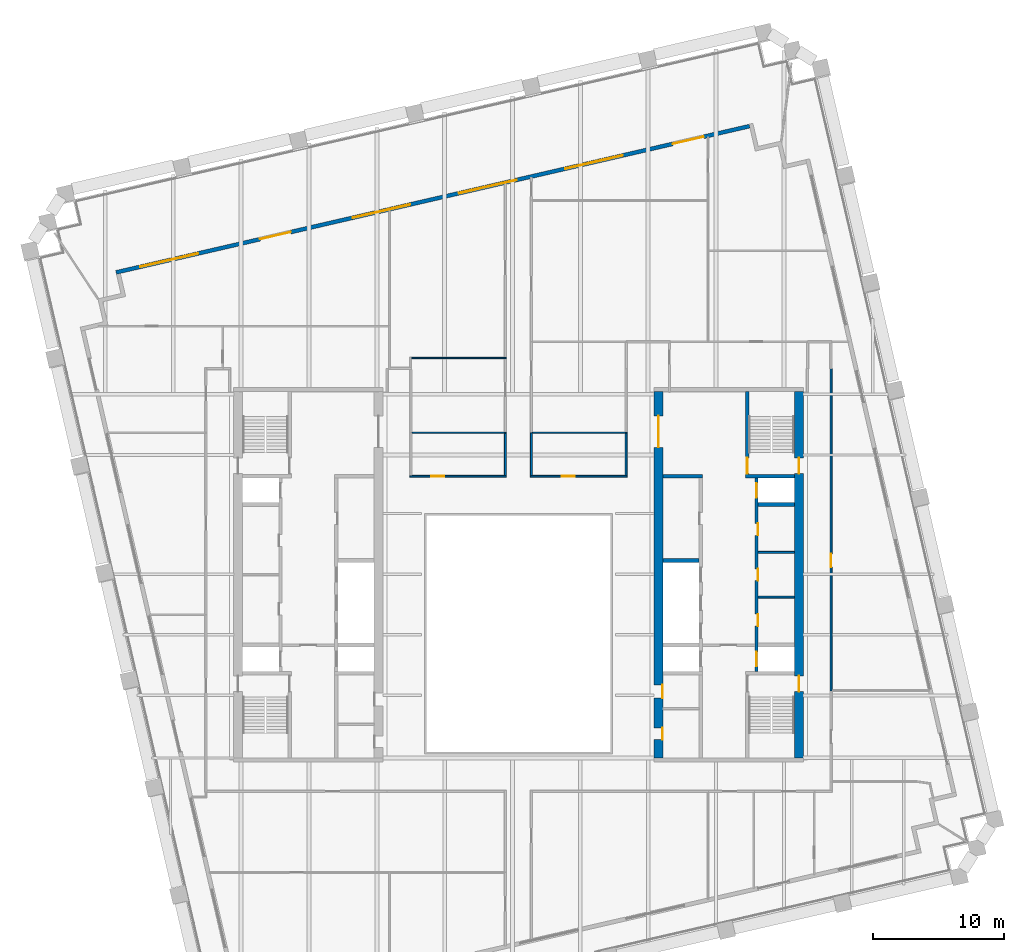
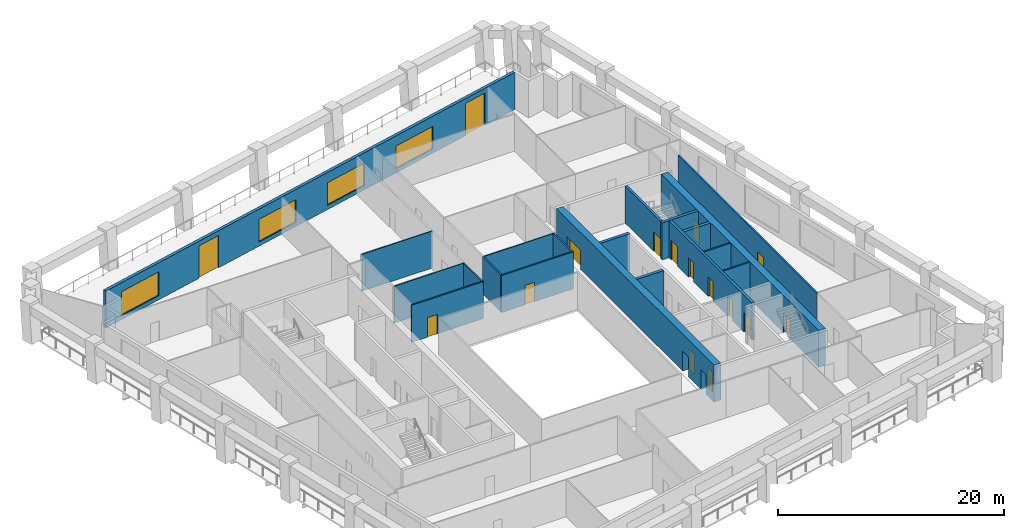
# One storey, part 7 of 11: 20 walls, 16 doors, 4 windows, 20 openings.
"""IFC4 building model written with IfcOpenShell, lengths in metres."""

from ifc_helpers import new_model, si_unit, direction, frame, frame_2d, origin, place, context, subcontext, project, spatial, rectangle, extrude, material, layer, layer_set, type_object, element, fill, save


model = new_model("IFC4")

# Units and contexts
model_context = context("Model", 3, precision=1e-05, world=origin(), true_north=direction((0.0, 1.0)))
body_context = subcontext(model_context, "Body", "Model", "MODEL_VIEW")
ifc_project = project(units=[si_unit("LENGTHUNIT", "METRE"), si_unit("AREAUNIT", "SQUARE_METRE"), si_unit("VOLUMEUNIT", "CUBIC_METRE"), si_unit("PLANEANGLEUNIT", "RADIAN"), si_unit("MASSUNIT", "GRAM", prefix="KILO")], contexts=[model_context])

# Site, building, storey
site_placement = place(None, origin())
site = spatial("IfcSite", under=ifc_project, at=site_placement, CompositionType="ELEMENT")
building_placement = place(site_placement, origin())
building = spatial("IfcBuilding", under=site, at=building_placement, Name="Ogive Exchange Tower", CompositionType="ELEMENT")
storey_placement = place(building_placement, frame((0.0, 0.0, 213.60009765625)))
storey = spatial("IfcBuildingStorey", under=building, at=storey_placement, Name="L47", CompositionType="ELEMENT", Elevation=213.60009765625)

# Walls
ifc_material_1 = material(Name="Gypsum board partition")
ifc_layer_1 = layer(ifc_material_1, 0.14990234375)
ifc_layer_set_1 = layer_set([ifc_layer_1], Name="Core room partition 150 gypsum")
wall_type_1 = type_object("IfcWallType", Name="Core room partition 150 gypsum", PredefinedType="PARTITIONING", material=ifc_layer_set_1)
for number, where, z_axis, x_axis, name in (
    (1, (18.25, 9.800048828125, 0.0), (0.0, 0.0, 1.0), (1.0, 0.0, 0.0), "E row A bay partition 1-1"),
    (2, (18.25, 13.199951171875, 0.0), (0.0, 0.0, 1.0), (1.0, 0.0, 0.0), "E row A bay partition 1-2"),
):
    element("IfcWall", number, at=place(storey_placement, frame(where, z_axis=z_axis, x_axis=x_axis)), inside=storey, type_object=wall_type_1, Name=name, PredefinedType="PARTITIONING", context=body_context, shape_type="SweptSolid", body=[
        extrude(rectangle(XDim=2.75, YDim=0.14990234375, at=frame_2d((1.375, 0.0))), origin(), (0.0, 0.0, 1.0), 4.0),
    ])
ifc_layer_2 = layer(ifc_material_1, 0.300048828125)
ifc_layer_set_2 = layer_set([ifc_layer_2], Name="Core room partition 300 gypsum")
wall_type_2 = type_object("IfcWallType", Name="Core room partition 300 gypsum", PredefinedType="PARTITIONING", material=ifc_layer_set_2)
wall_1_placement = place(storey_placement, frame((11.0, 19.0, 0.0), z_axis=(0.0, 0.0, 1.0), x_axis=(1.0, 0.0, 0.0)))
element("IfcWall", 3, at=wall_1_placement, inside=storey, type_object=wall_type_2, Name="E row B room end wall 7", PredefinedType="PARTITIONING", context=body_context, shape_type="SweptSolid", body=[
    extrude(rectangle(XDim=3.0, YDim=0.300048828125, at=frame_2d((1.5, 0.0))), origin(), (0.0, 0.0, 1.0), 4.0),
])

# Wall, opening, door
ifc_material_2 = material(Name="Fire partition EI 60 150")
ifc_layer_3 = layer(ifc_material_2, 0.14990234375)
ifc_layer_set_3 = layer_set([ifc_layer_3], Name="Fire partition EI 60 150")
wall_type_3 = type_object("IfcWallType", Name="Fire partition EI 60 150", PredefinedType="PARTITIONING", material=ifc_layer_set_3)
wall_2_placement = place(storey_placement, frame((-8.27490234375, 19.0, 0.0), z_axis=(0.0, 0.0, 1.0), x_axis=(1.0, 0.0, 0.0)))
wall_2 = element("IfcWall", 4, at=wall_2_placement, inside=storey, type_object=wall_type_3, Name="L47-PWL-023", PredefinedType="PARTITIONING", context=body_context, shape_type="SweptSolid", body=[
    extrude(rectangle(XDim=7.35986328125, YDim=0.14990234375, at=frame_2d((3.679931640625, 0.0))), origin(), (0.0, 0.0, 1.0), 4.0),
])
opening_1_placement = place(wall_2_placement, frame((1.635009765625, 0.0, 0.0)))
opening_1 = element("IfcOpeningElement", 5, at=opening_1_placement, cuts=wall_2, Name="Opening L47-I02", PredefinedType="OPENING", context=body_context, shape_type="SweptSolid", body=[
    extrude(rectangle(XDim=1.0, YDim=2.10009765625, at=frame_2d((0.5, 1.050048828125))), frame((0.0, 0.0849609375, 0.0), z_axis=(0.0, -1.0, 0.0), x_axis=(1.0, 0.0, 0.0)), (0.0, 0.0, 1.0), 0.169921875),
])
ifc_material_3 = material(Name="Fire door FD 30S 1000 x 2100")
door_type_1 = type_object("IfcDoorType", Name="Fire door FD 30S 1000 x 2100", OperationType="NOTDEFINED", PredefinedType="DOOR", material=ifc_material_3)
door_1_placement = place(opening_1_placement, origin())
door_1 = element("IfcDoor", 6, at=door_1_placement, inside=storey, type_object=door_type_1, Name="L47-IDR-002", ObjectType="DT3", OperationType="SINGLE_SWING_RIGHT", OverallHeight=2.10009765625, OverallWidth=1.0, PredefinedType="DOOR", context=body_context, shape_type="SweptSolid", body=[
    extrude(rectangle(XDim=1.0, YDim=2.10009765625, at=frame_2d((0.5, 1.050048828125))), frame((0.0, 0.02490234375, 0.0), z_axis=(0.0, -1.0, 0.0), x_axis=(1.0, 0.0, 0.0)), (0.0, 0.0, 1.0), 0.050048828125),
])
fill(opening_1, door_1)

# Wall
wall_3_placement = place(storey_placement, frame((-0.989990234375, 19.074951171875, 0.0), z_axis=(0.0, 0.0, 1.0), x_axis=(0.0, 1.0, 0.0)))
element("IfcWall", 7, at=wall_3_placement, inside=storey, type_object=wall_type_3, Name="L47-PWL-031", PredefinedType="PARTITIONING", context=body_context, shape_type="SweptSolid", body=[
    extrude(rectangle(XDim=3.18505859375, YDim=0.14990234375, at=frame_2d((1.592529296875, 0.0))), origin(), (0.0, 0.0, 1.0), 4.0),
])

# Wall, opening, door
wall_4_placement = place(storey_placement, frame((0.9150390625, 19.0, 0.0), z_axis=(0.0, 0.0, 1.0), x_axis=(1.0, 0.0, 0.0)))
wall_4 = element("IfcWall", 8, at=wall_4_placement, inside=storey, type_object=wall_type_3, Name="L47-PWL-035", PredefinedType="PARTITIONING", context=body_context, shape_type="SweptSolid", body=[
    extrude(rectangle(XDim=7.35986328125, YDim=0.14990234375, at=frame_2d((3.679931640625, 0.0))), origin(), (0.0, 0.0, 1.0), 4.0),
])
opening_2_placement = place(wall_4_placement, frame((2.385009765625, 0.0, 0.0)))
opening_2 = element("IfcOpeningElement", 9, at=opening_2_placement, cuts=wall_4, Name="Opening L47-I12", PredefinedType="OPENING", context=body_context, shape_type="SweptSolid", body=[
    extrude(rectangle(XDim=1.0, YDim=2.10009765625, at=frame_2d((0.5, 1.050048828125))), frame((0.0, 0.0849609375, 0.0), z_axis=(0.0, -1.0, 0.0), x_axis=(1.0, 0.0, 0.0)), (0.0, 0.0, 1.0), 0.169921875),
])
door_2_placement = place(opening_2_placement, origin())
door_2 = element("IfcDoor", 10, at=door_2_placement, inside=storey, type_object=door_type_1, Name="L47-IDR-012", ObjectType="DT3", OperationType="SINGLE_SWING_RIGHT", OverallHeight=2.10009765625, OverallWidth=1.0, PredefinedType="DOOR", context=body_context, shape_type="SweptSolid", body=[
    extrude(rectangle(XDim=1.0, YDim=2.10009765625, at=frame_2d((0.5, 1.050048828125))), frame((0.0, 0.02490234375, 0.0), z_axis=(0.0, -1.0, 0.0), x_axis=(1.0, 0.0, 0.0)), (0.0, 0.0, 1.0), 0.050048828125),
])
fill(opening_2, door_2)

# Walls
wall_5_placement = place(storey_placement, frame((0.989990234375, 22.31005859375, 0.0), z_axis=(0.0, 0.0, 1.0), x_axis=(0.0, -1.0, 0.0)))
element("IfcWall", 11, at=wall_5_placement, inside=storey, type_object=wall_type_3, Name="L47-PWL-036", PredefinedType="PARTITIONING", context=body_context, shape_type="SweptSolid", body=[
    extrude(rectangle(XDim=3.235107421875, YDim=0.14990234375, at=frame_2d((1.61767578125, 0.0))), origin(), (0.0, 0.0, 1.0), 4.0),
])
wall_6_placement = place(storey_placement, frame((8.199951171875, 19.074951171875, 0.0), z_axis=(0.0, 0.0, 1.0), x_axis=(0.0, 1.0, 0.0)))
element("IfcWall", 12, at=wall_6_placement, inside=storey, type_object=wall_type_3, Name="L47-PWL-042", PredefinedType="PARTITIONING", context=body_context, shape_type="SweptSolid", body=[
    extrude(rectangle(XDim=3.18505859375, YDim=0.14990234375, at=frame_2d((1.592529296875, 0.0))), origin(), (0.0, 0.0, 1.0), 4.0),
])

# Wall, opening, door
wall_7_placement = place(storey_placement, frame((23.800048828125, 27.199951171875, 0.0), z_axis=(0.0, 0.0, 1.0), x_axis=(0.0, -1.0, 0.0)))
wall_7 = element("IfcWall", 13, at=wall_7_placement, inside=storey, type_object=wall_type_3, Name="L47-PWL-069", PredefinedType="PARTITIONING", context=body_context, shape_type="SweptSolid", body=[
    extrude(rectangle(XDim=24.56005859375, YDim=0.14990234375, at=frame_2d((12.280029296875, 0.0))), origin(), (0.0, 0.0, 1.0), 4.0),
])
opening_3_placement = place(wall_7_placement, frame((14.110107421875, 0.0, 0.0)))
opening_3 = element("IfcOpeningElement", 14, at=opening_3_placement, cuts=wall_7, Name="Opening L47-I16", PredefinedType="OPENING", context=body_context, shape_type="SweptSolid", body=[
    extrude(rectangle(XDim=1.0, YDim=2.10009765625, at=frame_2d((0.5, 1.050048828125))), frame((0.0, 0.0849609375, 0.0), z_axis=(0.0, -1.0, 0.0), x_axis=(1.0, 0.0, 0.0)), (0.0, 0.0, 1.0), 0.169921875),
])
door_3_placement = place(opening_3_placement, origin())
door_3 = element("IfcDoor", 15, at=door_3_placement, inside=storey, type_object=door_type_1, Name="L47-IDR-016", ObjectType="DT3", OperationType="SINGLE_SWING_LEFT", OverallHeight=2.10009765625, OverallWidth=1.0, PredefinedType="DOOR", context=body_context, shape_type="SweptSolid", body=[
    extrude(rectangle(XDim=1.0, YDim=2.10009765625, at=frame_2d((0.5, 1.050048828125))), frame((0.0, 0.02490234375, 0.0), z_axis=(0.0, -1.0, 0.0), x_axis=(1.0, 0.0, 0.0)), (0.0, 0.0, 1.0), 0.050048828125),
])
fill(opening_3, door_3)

# Wall, openings, doors, windows
ifc_material_4 = material(Name="Precast concrete C40/50", Category="concrete")
ifc_layer_4 = layer(ifc_material_4, 0.300048828125)
ifc_layer_set_4 = layer_set([ifc_layer_4], Name="Limestone-faced wall 300")
wall_type_4 = type_object("IfcWallType", Name="Limestone-faced wall 300", PredefinedType="STANDARD", material=ifc_layer_set_4)
wall_8_placement = place(storey_placement, frame((17.592041015625, 45.6572265625, 0.0), z_axis=(0.0, 0.0, 1.0), x_axis=(-0.974370243697, -0.224950279389, 0.0)))
wall_8 = element("IfcWall", 16, at=wall_8_placement, inside=storey, type_object=wall_type_4, Name="External wall N3", PredefinedType="STANDARD", context=body_context, shape_type="SweptSolid", body=[
    extrude(rectangle(XDim=49.499755859375, YDim=0.300048828125, at=frame_2d((24.75, 0.0))), origin(), (0.0, 0.0, 1.0), 4.0),
])
opening_4_placement = place(wall_8_placement, frame((3.60009765625, 0.0, 0.0)))
opening_4 = element("IfcOpeningElement", 17, at=opening_4_placement, cuts=wall_8, Name="Opening D1", PredefinedType="OPENING", context=body_context, shape_type="SweptSolid", body=[
    extrude(rectangle(XDim=2.39990234375, YDim=3.5, at=frame_2d((1.199951171875, 1.75))), frame((0.0, 0.159912109375, 0.0), z_axis=(0.0, -1.0, 0.0), x_axis=(1.0, 0.0, 0.0)), (0.0, 0.0, 1.0), 0.320068359375),
])
opening_5_placement = place(wall_8_placement, frame((9.89990234375, 0.0, 0.449951171875)))
opening_5 = element("IfcOpeningElement", 18, at=opening_5_placement, cuts=wall_8, Name="Opening W1Q", PredefinedType="OPENING", context=body_context, shape_type="SweptSolid", body=[
    extrude(rectangle(XDim=4.5, YDim=2.449951171875, at=frame_2d((2.25, 1.22509765625))), frame((0.0, 0.159912109375, 0.0), z_axis=(0.0, -1.0, 0.0), x_axis=(1.0, 0.0, 0.0)), (0.0, 0.0, 1.0), 0.320068359375),
])
opening_6_placement = place(wall_8_placement, frame((18.199951171875, 0.0, 0.449951171875)))
opening_6 = element("IfcOpeningElement", 19, at=opening_6_placement, cuts=wall_8, Name="Opening W1Q", PredefinedType="OPENING", context=body_context, shape_type="SweptSolid", body=[
    extrude(rectangle(XDim=4.5, YDim=2.449951171875, at=frame_2d((2.25, 1.22509765625))), frame((0.0, 0.159912109375, 0.0), z_axis=(0.0, -1.0, 0.0), x_axis=(1.0, 0.0, 0.0)), (0.0, 0.0, 1.0), 0.320068359375),
])
opening_7_placement = place(wall_8_placement, frame((26.5, 0.0, 0.449951171875)))
opening_7 = element("IfcOpeningElement", 20, at=opening_7_placement, cuts=wall_8, Name="Opening W1Q", PredefinedType="OPENING", context=body_context, shape_type="SweptSolid", body=[
    extrude(rectangle(XDim=4.5, YDim=2.449951171875, at=frame_2d((2.25, 1.22509765625))), frame((0.0, 0.159912109375, 0.0), z_axis=(0.0, -1.0, 0.0), x_axis=(1.0, 0.0, 0.0)), (0.0, 0.0, 1.0), 0.320068359375),
])
opening_8_placement = place(wall_8_placement, frame((35.85009765625, 0.0, 0.0)))
opening_8 = element("IfcOpeningElement", 21, at=opening_8_placement, cuts=wall_8, Name="Opening D1", PredefinedType="OPENING", context=body_context, shape_type="SweptSolid", body=[
    extrude(rectangle(XDim=2.39990234375, YDim=3.5, at=frame_2d((1.199951171875, 1.75))), frame((0.0, 0.159912109375, 0.0), z_axis=(0.0, -1.0, 0.0), x_axis=(1.0, 0.0, 0.0)), (0.0, 0.0, 1.0), 0.320068359375),
])
opening_9_placement = place(wall_8_placement, frame((43.10009765625, 0.0, 0.449951171875)))
opening_9 = element("IfcOpeningElement", 22, at=opening_9_placement, cuts=wall_8, Name="Opening W1M", PredefinedType="OPENING", context=body_context, shape_type="SweptSolid", body=[
    extrude(rectangle(XDim=4.5, YDim=2.574951171875, at=frame_2d((2.25, 1.28759765625))), frame((0.0, 0.159912109375, 0.0), z_axis=(0.0, -1.0, 0.0), x_axis=(1.0, 0.0, 0.0)), (0.0, 0.0, 1.0), 0.320068359375),
])
ifc_material_5 = material(Name="Clear glass in bronze frame", Category="glass")
door_type_2 = type_object("IfcDoorType", Name="Sliding loggia door 2400 x 3500", OperationType="DOUBLE_DOOR_SLIDING", PredefinedType="DOOR", material=ifc_material_5)
door_4_placement = place(opening_4_placement, origin())
door_4 = element("IfcDoor", 23, at=door_4_placement, inside=storey, type_object=door_type_2, Name="Loggia door N00", OperationType="DOUBLE_DOOR_SLIDING", OverallHeight=3.5, OverallWidth=2.39990234375, PredefinedType="DOOR", context=body_context, shape_type="SweptSolid", body=[
    extrude(rectangle(XDim=2.39990234375, YDim=3.5, at=frame_2d((1.199951171875, 1.75))), frame((0.0, 0.02490234375, 0.0), z_axis=(0.0, -1.0, 0.0), x_axis=(1.0, 0.0, 0.0)), (0.0, 0.0, 1.0), 0.050048828125),
])
fill(opening_4, door_4)
door_5_placement = place(opening_8_placement, origin())
door_5 = element("IfcDoor", 24, at=door_5_placement, inside=storey, type_object=door_type_2, Name="Loggia door N04", OperationType="DOUBLE_DOOR_SLIDING", OverallHeight=3.5, OverallWidth=2.39990234375, PredefinedType="DOOR", context=body_context, shape_type="SweptSolid", body=[
    extrude(rectangle(XDim=2.39990234375, YDim=3.5, at=frame_2d((1.199951171875, 1.75))), frame((0.0, 0.02490234375, 0.0), z_axis=(0.0, -1.0, 0.0), x_axis=(1.0, 0.0, 0.0)), (0.0, 0.0, 1.0), 0.050048828125),
])
fill(opening_8, door_5)
window_type_1 = type_object("IfcWindowType", Name="Twin lancet window 4500 x 2450", PartitioningType="DOUBLE_PANEL_VERTICAL", PredefinedType="WINDOW", material=ifc_material_5)
window_1_placement = place(opening_5_placement, origin())
window_1 = element("IfcWindow", 25, at=window_1_placement, inside=storey, type_object=window_type_1, Name="Window N01", OverallHeight=2.449951171875, OverallWidth=4.5, PartitioningType="DOUBLE_PANEL_VERTICAL", PredefinedType="WINDOW", context=body_context, shape_type="SweptSolid", body=[
    extrude(rectangle(XDim=4.5, YDim=2.449951171875, at=frame_2d((2.25, 1.22509765625))), frame((0.0, 0.030029296875, 0.0), z_axis=(0.0, -1.0, 0.0), x_axis=(1.0, 0.0, 0.0)), (0.0, 0.0, 1.0), 0.06005859375),
])
fill(opening_5, window_1)
window_2_placement = place(opening_6_placement, origin())
window_2 = element("IfcWindow", 26, at=window_2_placement, inside=storey, type_object=window_type_1, Name="Window N02", OverallHeight=2.449951171875, OverallWidth=4.5, PartitioningType="DOUBLE_PANEL_VERTICAL", PredefinedType="WINDOW", context=body_context, shape_type="SweptSolid", body=[
    extrude(rectangle(XDim=4.5, YDim=2.449951171875, at=frame_2d((2.25, 1.22509765625))), frame((0.0, 0.030029296875, 0.0), z_axis=(0.0, -1.0, 0.0), x_axis=(1.0, 0.0, 0.0)), (0.0, 0.0, 1.0), 0.06005859375),
])
fill(opening_6, window_2)
window_3_placement = place(opening_7_placement, origin())
window_3 = element("IfcWindow", 27, at=window_3_placement, inside=storey, type_object=window_type_1, Name="Window N03", OverallHeight=2.449951171875, OverallWidth=4.5, PartitioningType="DOUBLE_PANEL_VERTICAL", PredefinedType="WINDOW", context=body_context, shape_type="SweptSolid", body=[
    extrude(rectangle(XDim=4.5, YDim=2.449951171875, at=frame_2d((2.25, 1.22509765625))), frame((0.0, 0.030029296875, 0.0), z_axis=(0.0, -1.0, 0.0), x_axis=(1.0, 0.0, 0.0)), (0.0, 0.0, 1.0), 0.06005859375),
])
fill(opening_7, window_3)
window_type_2 = type_object("IfcWindowType", Name="Twin lancet window 4500 x 2575", PartitioningType="DOUBLE_PANEL_VERTICAL", PredefinedType="WINDOW", material=ifc_material_5)
window_4_placement = place(opening_9_placement, origin())
window_4 = element("IfcWindow", 28, at=window_4_placement, inside=storey, type_object=window_type_2, Name="Window N05", OverallHeight=2.574951171875, OverallWidth=4.5, PartitioningType="DOUBLE_PANEL_VERTICAL", PredefinedType="WINDOW", context=body_context, shape_type="SweptSolid", body=[
    extrude(rectangle(XDim=4.5, YDim=2.574951171875, at=frame_2d((2.25, 1.28759765625))), frame((0.0, 0.030029296875, 0.0), z_axis=(0.0, -1.0, 0.0), x_axis=(1.0, 0.0, 0.0)), (0.0, 0.0, 1.0), 0.06005859375),
])
fill(opening_9, window_4)

# Walls
ifc_material_6 = material(Name="Partition 100 gypsum")
ifc_layer_5 = layer(ifc_material_6, 0.10009765625)
ifc_layer_set_5 = layer_set([ifc_layer_5], Name="Partition 100 gypsum")
wall_type_5 = type_object("IfcWallType", Name="Partition 100 gypsum", PredefinedType="PARTITIONING", material=ifc_layer_set_5)
wall_9_placement = place(storey_placement, frame((-8.159912109375, 28.0, 0.0), z_axis=(0.0, 0.0, 1.0), x_axis=(1.0, 0.0, 0.0)))
element("IfcWall", 29, at=wall_9_placement, inside=storey, type_object=wall_type_5, Name="L47-PWL-022", PredefinedType="PARTITIONING", context=body_context, shape_type="SweptSolid", body=[
    extrude(rectangle(XDim=7.244873046875, YDim=0.10009765625, at=frame_2d((3.62255859375, 0.0))), origin(), (0.0, 0.0, 1.0), 4.0),
])
for number, where, z_axis, x_axis, name in (
    (30, (-8.125, 22.31005859375, 0.0), (0.0, 0.0, 1.0), (1.0, 0.0, 0.0), "L47-PWL-025"),
    (31, (1.06494140625, 22.31005859375, 0.0), (0.0, 0.0, 1.0), (1.0, 0.0, 0.0), "L47-PWL-037"),
):
    element("IfcWall", number, at=place(storey_placement, frame(where, z_axis=z_axis, x_axis=x_axis)), inside=storey, type_object=wall_type_5, Name=name, PredefinedType="PARTITIONING", context=body_context, shape_type="SweptSolid", body=[
        extrude(rectangle(XDim=7.2099609375, YDim=0.10009765625, at=frame_2d((3.60498046875, 0.0))), origin(), (0.0, 0.0, 1.0), 4.0),
    ])

# Wall, opening, door
ifc_material_7 = material(Name="Concrete C70/85", Category="concrete")
ifc_layer_6 = layer(ifc_material_7, 0.25)
ifc_layer_set_6 = layer_set([ifc_layer_6], Name="RC core wall 250 C70/85")
wall_type_6 = type_object("IfcWallType", Name="RC core wall 250 C70/85", PredefinedType="SHEAR", material=ifc_layer_set_6)
wall_10_placement = place(storey_placement, frame((17.425048828125, 19.14990234375, 0.0), z_axis=(0.0, 0.0, 1.0), x_axis=(0.0, 1.0, 0.0)))
wall_10 = element("IfcWall", 32, at=wall_10_placement, inside=storey, type_object=wall_type_6, Name="E stair N front wall", PredefinedType="SHEAR", context=body_context, shape_type="SweptSolid", body=[
    extrude(rectangle(XDim=6.300048828125, YDim=0.25, at=frame_2d((3.14990234375, 0.0))), origin(), (0.0, 0.0, 1.0), 4.0),
])
opening_10_placement = place(wall_10_placement, frame((0.050048828125, 0.0, 0.0)))
opening_10 = element("IfcOpeningElement", 33, at=opening_10_placement, cuts=wall_10, Name="Opening L47-C32", PredefinedType="OPENING", context=body_context, shape_type="SweptSolid", body=[
    extrude(rectangle(XDim=1.199951171875, YDim=2.10009765625, at=frame_2d((0.60009765625, 1.050048828125))), frame((0.0, 0.135009765625, 0.0), z_axis=(0.0, -1.0, 0.0), x_axis=(1.0, 0.0, 0.0)), (0.0, 0.0, 1.0), 0.27001953125),
])
ifc_material_8 = material(Name="Steel fire door", Category="steel")
door_type_3 = type_object("IfcDoorType", Name="Stair door FD90 1200 x 2100", OperationType="NOTDEFINED", PredefinedType="DOOR", material=ifc_material_8)
door_6_placement = place(opening_10_placement, frame((1.199951171875, 0.0, 0.0), z_axis=(0.0, 0.0, 1.0), x_axis=(-1.0, 0.0, 0.0)))
door_6 = element("IfcDoor", 34, at=door_6_placement, inside=storey, type_object=door_type_3, Name="Stair door", ObjectType="CD5", OperationType="SINGLE_SWING_LEFT", OverallHeight=2.10009765625, OverallWidth=1.199951171875, PredefinedType="DOOR", context=body_context, shape_type="SweptSolid", body=[
    extrude(rectangle(XDim=1.199951171875, YDim=2.10009765625, at=frame_2d((0.60009765625, 1.050048828125))), frame((0.0, 0.02490234375, 0.0), z_axis=(0.0, -1.0, 0.0), x_axis=(1.0, 0.0, 0.0)), (0.0, 0.0, 1.0), 0.050048828125),
])
fill(opening_10, door_6)

# Wall, openings, doors
wall_11_placement = place(storey_placement, frame((18.125, 4.14990234375, 0.0), z_axis=(0.0, 0.0, 1.0), x_axis=(0.0, 1.0, 0.0)))
wall_11 = element("IfcWall", 35, at=wall_11_placement, inside=storey, type_object=wall_type_6, Name="E row A front wall", PredefinedType="SHEAR", context=body_context, shape_type="SweptSolid", body=[
    extrude(rectangle(XDim=14.7001953125, YDim=0.25, at=frame_2d((7.35009765625, 0.0))), origin(), (0.0, 0.0, 1.0), 4.0),
])
opening_11_placement = place(wall_11_placement, frame((3.4462890625, 0.0, 0.0)))
opening_11 = element("IfcOpeningElement", 36, at=opening_11_placement, cuts=wall_11, Name="Opening L47-C18", PredefinedType="OPENING", context=body_context, shape_type="SweptSolid", body=[
    extrude(rectangle(XDim=0.89990234375, YDim=2.10009765625, at=frame_2d((0.449951171875, 1.050048828125))), frame((0.0, 0.135009765625, 0.0), z_axis=(0.0, -1.0, 0.0), x_axis=(1.0, 0.0, 0.0)), (0.0, 0.0, 1.0), 0.27001953125),
])
opening_12_placement = place(wall_11_placement, frame((6.89990234375, 0.0, 0.0)))
opening_12 = element("IfcOpeningElement", 37, at=opening_12_placement, cuts=wall_11, Name="Opening L47-C19", PredefinedType="OPENING", context=body_context, shape_type="SweptSolid", body=[
    extrude(rectangle(XDim=0.89990234375, YDim=2.10009765625, at=frame_2d((0.449951171875, 1.050048828125))), frame((0.0, 0.135009765625, 0.0), z_axis=(0.0, -1.0, 0.0), x_axis=(1.0, 0.0, 0.0)), (0.0, 0.0, 1.0), 0.27001953125),
])
opening_13_placement = place(wall_11_placement, frame((10.353515625, 0.0, 0.0)))
opening_13 = element("IfcOpeningElement", 38, at=opening_13_placement, cuts=wall_11, Name="Opening L47-C20", PredefinedType="OPENING", context=body_context, shape_type="SweptSolid", body=[
    extrude(rectangle(XDim=0.89990234375, YDim=2.10009765625, at=frame_2d((0.449951171875, 1.050048828125))), frame((0.0, 0.135009765625, 0.0), z_axis=(0.0, -1.0, 0.0), x_axis=(1.0, 0.0, 0.0)), (0.0, 0.0, 1.0), 0.27001953125),
])
opening_14_placement = place(wall_11_placement, frame((0.371337890625, 0.0, 0.0)))
opening_14 = element("IfcOpeningElement", 39, at=opening_14_placement, cuts=wall_11, Name="Opening L47-C21", PredefinedType="OPENING", context=body_context, shape_type="SweptSolid", body=[
    extrude(rectangle(XDim=1.10009765625, YDim=2.10009765625, at=frame_2d((0.550048828125, 1.050048828125))), frame((0.0, 0.135009765625, 0.0), z_axis=(0.0, -1.0, 0.0), x_axis=(1.0, 0.0, 0.0)), (0.0, 0.0, 1.0), 0.27001953125),
])
opening_15_placement = place(wall_11_placement, frame((13.228515625, 0.0, 0.0)))
opening_15 = element("IfcOpeningElement", 40, at=opening_15_placement, cuts=wall_11, Name="Opening L47-C22", PredefinedType="OPENING", context=body_context, shape_type="SweptSolid", body=[
    extrude(rectangle(XDim=1.10009765625, YDim=2.10009765625, at=frame_2d((0.550048828125, 1.050048828125))), frame((0.0, 0.135009765625, 0.0), z_axis=(0.0, -1.0, 0.0), x_axis=(1.0, 0.0, 0.0)), (0.0, 0.0, 1.0), 0.27001953125),
])
ifc_material_9 = material(Name="Stainless steel", Category="steel")
door_type_4 = type_object("IfcDoorType", Name="Lift landing door FD90 1100 x 2100", OperationType="SLIDING_TO_LEFT", PredefinedType="DOOR", material=ifc_material_9)
door_7_placement = place(opening_14_placement, origin())
door_7 = element("IfcDoor", 41, at=door_7_placement, inside=storey, type_object=door_type_4, Name="Lift landing door FF2", ObjectType="LD", OperationType="SLIDING_TO_LEFT", OverallHeight=2.10009765625, OverallWidth=1.10009765625, PredefinedType="DOOR", context=body_context, shape_type="SweptSolid", body=[
    extrude(rectangle(XDim=1.10009765625, YDim=2.10009765625, at=frame_2d((0.550048828125, 1.050048828125))), frame((0.0, 0.02490234375, 0.0), z_axis=(0.0, -1.0, 0.0), x_axis=(1.0, 0.0, 0.0)), (0.0, 0.0, 1.0), 0.050048828125),
])
fill(opening_14, door_7)
door_8_placement = place(opening_15_placement, origin())
door_8 = element("IfcDoor", 42, at=door_8_placement, inside=storey, type_object=door_type_4, Name="Lift landing door E-SH2", ObjectType="LD", OperationType="SLIDING_TO_LEFT", OverallHeight=2.10009765625, OverallWidth=1.10009765625, PredefinedType="DOOR", context=body_context, shape_type="SweptSolid", body=[
    extrude(rectangle(XDim=1.10009765625, YDim=2.10009765625, at=frame_2d((0.550048828125, 1.050048828125))), frame((0.0, 0.02490234375, 0.0), z_axis=(0.0, -1.0, 0.0), x_axis=(1.0, 0.0, 0.0)), (0.0, 0.0, 1.0), 0.050048828125),
])
fill(opening_15, door_8)
door_type_5 = type_object("IfcDoorType", Name="Riser door FD60 900 x 2100", OperationType="NOTDEFINED", PredefinedType="DOOR", material=ifc_material_8)
door_9_placement = place(opening_11_placement, frame((0.89990234375, -0.2001953125, 0.0), z_axis=(0.0, 0.0, 1.0), x_axis=(-1.0, 0.0, 0.0)))
door_9 = element("IfcDoor", 43, at=door_9_placement, inside=storey, type_object=door_type_5, Name="Riser door", ObjectType="CD2", OperationType="SINGLE_SWING_LEFT", OverallHeight=2.10009765625, OverallWidth=0.89990234375, PredefinedType="DOOR", context=body_context, shape_type="SweptSolid", body=[
    extrude(rectangle(XDim=0.89990234375, YDim=2.10009765625, at=frame_2d((0.449951171875, 1.050048828125))), frame((0.0, -0.0751953125, 0.0), z_axis=(0.0, -1.0, 0.0), x_axis=(1.0, 0.0, 0.0)), (0.0, 0.0, 1.0), 0.050048828125),
])
fill(opening_11, door_9)
door_10_placement = place(opening_12_placement, frame((0.89990234375, -0.2001953125, 0.0), z_axis=(0.0, 0.0, 1.0), x_axis=(-1.0, 0.0, 0.0)))
door_10 = element("IfcDoor", 44, at=door_10_placement, inside=storey, type_object=door_type_5, Name="Riser door", ObjectType="CD2", OperationType="SINGLE_SWING_LEFT", OverallHeight=2.10009765625, OverallWidth=0.89990234375, PredefinedType="DOOR", context=body_context, shape_type="SweptSolid", body=[
    extrude(rectangle(XDim=0.89990234375, YDim=2.10009765625, at=frame_2d((0.449951171875, 1.050048828125))), frame((0.0, -0.0751953125, 0.0), z_axis=(0.0, -1.0, 0.0), x_axis=(1.0, 0.0, 0.0)), (0.0, 0.0, 1.0), 0.050048828125),
])
fill(opening_12, door_10)
door_11_placement = place(opening_13_placement, frame((0.89990234375, -0.2001953125, 0.0), z_axis=(0.0, 0.0, 1.0), x_axis=(-1.0, 0.0, 0.0)))
door_11 = element("IfcDoor", 45, at=door_11_placement, inside=storey, type_object=door_type_5, Name="Riser door", ObjectType="CD2", OperationType="SINGLE_SWING_RIGHT", OverallHeight=2.10009765625, OverallWidth=0.89990234375, PredefinedType="DOOR", context=body_context, shape_type="SweptSolid", body=[
    extrude(rectangle(XDim=0.89990234375, YDim=2.10009765625, at=frame_2d((0.449951171875, 1.050048828125))), frame((0.0, -0.0751953125, 0.0), z_axis=(0.0, -1.0, 0.0), x_axis=(1.0, 0.0, 0.0)), (0.0, 0.0, 1.0), 0.050048828125),
])
fill(opening_13, door_11)

# Walls
ifc_layer_7 = layer(ifc_material_7, 0.300048828125)
ifc_layer_set_7 = layer_set([ifc_layer_7], Name="RC core wall 300 C70/85")
wall_type_7 = type_object("IfcWallType", Name="RC core wall 300 C70/85", PredefinedType="SHEAR", material=ifc_layer_set_7)
wall_12_placement = place(storey_placement, frame((17.300048828125, 19.0, 0.0), z_axis=(0.0, 0.0, 1.0), x_axis=(1.0, 0.0, 0.0)))
element("IfcWall", 46, at=wall_12_placement, inside=storey, type_object=wall_type_7, Name="E stair N south wall", PredefinedType="SHEAR", context=body_context, shape_type="SweptSolid", body=[
    extrude(rectangle(XDim=3.699951171875, YDim=0.300048828125, at=frame_2d((1.85009765625, 0.0))), origin(), (0.0, 0.0, 1.0), 4.0),
])
for number, where, z_axis, x_axis, name in (
    (47, (18.25, 16.857177734375, 0.0), (0.0, 0.0, 1.0), (1.0, 0.0, 0.0), "E row A divider 6"),
    (48, (11.0, 12.5712890625, 0.0), (0.0, 0.0, 1.0), (1.0, 0.0, 0.0), "E row B divider 4"),
):
    element("IfcWall", number, at=place(storey_placement, frame(where, z_axis=z_axis, x_axis=x_axis)), inside=storey, type_object=wall_type_7, Name=name, PredefinedType="SHEAR", context=body_context, shape_type="SweptSolid", body=[
        extrude(rectangle(XDim=2.75, YDim=0.300048828125, at=frame_2d((1.375, 0.0))), origin(), (0.0, 0.0, 1.0), 4.0),
    ])

# Wall, openings, doors
ifc_layer_8 = layer(ifc_material_7, 0.699951171875)
ifc_layer_set_8 = layer_set([ifc_layer_8], Name="RC core wall 700 C70/85")
wall_type_8 = type_object("IfcWallType", Name="RC core wall 700 C70/85", PredefinedType="SHEAR", material=ifc_layer_set_8)
wall_13_placement = place(storey_placement, frame((21.35009765625, -2.449951171875, 0.0), z_axis=(0.0, 0.0, 1.0), x_axis=(0.0, 1.0, 0.0)))
wall_13 = element("IfcWall", 49, at=wall_13_placement, inside=storey, type_object=wall_type_8, Name="E outer wall", PredefinedType="SHEAR", context=body_context, shape_type="SweptSolid", body=[
    extrude(rectangle(XDim=27.89990234375, YDim=0.699951171875, at=frame_2d((13.949951171875, 0.0))), origin(), (0.0, 0.0, 1.0), 4.0),
])
opening_16_placement = place(wall_13_placement, frame((5.050048828125, 0.0, 0.0)))
opening_16 = element("IfcOpeningElement", 50, at=opening_16_placement, cuts=wall_13, Name="Opening L47-C31", PredefinedType="OPENING", context=body_context, shape_type="SweptSolid", body=[
    extrude(rectangle(XDim=1.199951171875, YDim=2.10009765625, at=frame_2d((0.60009765625, 1.050048828125))), frame((0.0, 0.35986328125, 0.0), z_axis=(0.0, -1.0, 0.0), x_axis=(1.0, 0.0, 0.0)), (0.0, 0.0, 1.0), 0.719970703125),
])
opening_17_placement = place(wall_13_placement, frame((21.64990234375, 0.0, 0.0)))
opening_17 = element("IfcOpeningElement", 51, at=opening_17_placement, cuts=wall_13, Name="Opening L47-C33", PredefinedType="OPENING", context=body_context, shape_type="SweptSolid", body=[
    extrude(rectangle(XDim=1.199951171875, YDim=2.10009765625, at=frame_2d((0.60009765625, 1.050048828125))), frame((0.0, 0.35986328125, 0.0), z_axis=(0.0, -1.0, 0.0), x_axis=(1.0, 0.0, 0.0)), (0.0, 0.0, 1.0), 0.719970703125),
])
door_12_placement = place(opening_16_placement, origin())
door_12 = element("IfcDoor", 52, at=door_12_placement, inside=storey, type_object=door_type_3, Name="Stair door", ObjectType="CD5", OperationType="SINGLE_SWING_LEFT", OverallHeight=2.10009765625, OverallWidth=1.199951171875, PredefinedType="DOOR", context=body_context, shape_type="SweptSolid", body=[
    extrude(rectangle(XDim=1.199951171875, YDim=2.10009765625, at=frame_2d((0.60009765625, 1.050048828125))), frame((0.0, 0.02490234375, 0.0), z_axis=(0.0, -1.0, 0.0), x_axis=(1.0, 0.0, 0.0)), (0.0, 0.0, 1.0), 0.050048828125),
])
fill(opening_16, door_12)
door_13_placement = place(opening_17_placement, origin())
door_13 = element("IfcDoor", 53, at=door_13_placement, inside=storey, type_object=door_type_3, Name="Stair door", ObjectType="CD5", OperationType="SINGLE_SWING_RIGHT", OverallHeight=2.10009765625, OverallWidth=1.199951171875, PredefinedType="DOOR", context=body_context, shape_type="SweptSolid", body=[
    extrude(rectangle(XDim=1.199951171875, YDim=2.10009765625, at=frame_2d((0.60009765625, 1.050048828125))), frame((0.0, 0.02490234375, 0.0), z_axis=(0.0, -1.0, 0.0), x_axis=(1.0, 0.0, 0.0)), (0.0, 0.0, 1.0), 0.050048828125),
])
fill(opening_17, door_13)

wall_14_placement = place(storey_placement, frame((10.64990234375, -2.449951171875, 0.0), z_axis=(0.0, 0.0, 1.0), x_axis=(0.0, 1.0, 0.0)))
wall_14 = element("IfcWall", 54, at=wall_14_placement, inside=storey, type_object=wall_type_8, Name="E inner wall", PredefinedType="SHEAR", context=body_context, shape_type="SweptSolid", body=[
    extrude(rectangle(XDim=27.89990234375, YDim=0.699951171875, at=frame_2d((13.949951171875, 0.0))), origin(), (0.0, 0.0, 1.0), 4.0),
])
opening_18_placement = place(wall_14_placement, frame((23.64990234375, 0.0, 0.0)))
opening_18 = element("IfcOpeningElement", 55, at=opening_18_placement, cuts=wall_14, Name="Opening L47-C29", PredefinedType="OPENING", context=body_context, shape_type="SweptSolid", body=[
    extrude(rectangle(XDim=2.39990234375, YDim=2.10009765625, at=frame_2d((1.199951171875, 1.050048828125))), frame((0.0, 0.35986328125, 0.0), z_axis=(0.0, -1.0, 0.0), x_axis=(1.0, 0.0, 0.0)), (0.0, 0.0, 1.0), 0.719970703125),
])
opening_19_placement = place(wall_14_placement, frame((1.387451171875, 0.0, 0.0)))
opening_19 = element("IfcOpeningElement", 56, at=opening_19_placement, cuts=wall_14, Name="Opening L47-C34", PredefinedType="OPENING", context=body_context, shape_type="SweptSolid", body=[
    extrude(rectangle(XDim=0.89990234375, YDim=2.10009765625, at=frame_2d((0.449951171875, 1.050048828125))), frame((0.0, 0.35986328125, 0.0), z_axis=(0.0, -1.0, 0.0), x_axis=(1.0, 0.0, 0.0)), (0.0, 0.0, 1.0), 0.719970703125),
])
opening_20_placement = place(wall_14_placement, frame((4.5625, 0.0, 0.0)))
opening_20 = element("IfcOpeningElement", 57, at=opening_20_placement, cuts=wall_14, Name="Opening L47-C35", PredefinedType="OPENING", context=body_context, shape_type="SweptSolid", body=[
    extrude(rectangle(XDim=1.0, YDim=2.10009765625, at=frame_2d((0.5, 1.050048828125))), frame((0.0, 0.35986328125, 0.0), z_axis=(0.0, -1.0, 0.0), x_axis=(1.0, 0.0, 0.0)), (0.0, 0.0, 1.0), 0.719970703125),
])
ifc_material_10 = material(Name="Timber fire door", Category="wood")
door_type_6 = type_object("IfcDoorType", Name="Accessible WC door FD30S 1000 x 2100", OperationType="NOTDEFINED", PredefinedType="DOOR", material=ifc_material_10)
door_14_placement = place(opening_20_placement, frame((1.0, -0.64990234375, 0.0), z_axis=(0.0, 0.0, 1.0), x_axis=(-1.0, 0.0, 0.0)))
door_14 = element("IfcDoor", 58, at=door_14_placement, inside=storey, type_object=door_type_6, Name="Accessible WC door", ObjectType="CD7", OperationType="SINGLE_SWING_RIGHT", OverallHeight=2.10009765625, OverallWidth=1.0, PredefinedType="DOOR", context=body_context, shape_type="SweptSolid", body=[
    extrude(rectangle(XDim=1.0, YDim=2.10009765625, at=frame_2d((0.5, 1.050048828125))), frame((0.0, -0.2998046875, 0.0), z_axis=(0.0, -1.0, 0.0), x_axis=(1.0, 0.0, 0.0)), (0.0, 0.0, 1.0), 0.050048828125),
])
fill(opening_20, door_14)
door_type_7 = type_object("IfcDoorType", Name="Core room door FD30S 900 x 2100", OperationType="NOTDEFINED", PredefinedType="DOOR", material=ifc_material_10)
door_15_placement = place(opening_19_placement, frame((0.89990234375, -0.64990234375, 0.0), z_axis=(0.0, 0.0, 1.0), x_axis=(-1.0, 0.0, 0.0)))
door_15 = element("IfcDoor", 59, at=door_15_placement, inside=storey, type_object=door_type_7, Name="Core room door", ObjectType="CD6", OperationType="SINGLE_SWING_RIGHT", OverallHeight=2.10009765625, OverallWidth=0.89990234375, PredefinedType="DOOR", context=body_context, shape_type="SweptSolid", body=[
    extrude(rectangle(XDim=0.89990234375, YDim=2.10009765625, at=frame_2d((0.449951171875, 1.050048828125))), frame((0.0, -0.2998046875, 0.0), z_axis=(0.0, -1.0, 0.0), x_axis=(1.0, 0.0, 0.0)), (0.0, 0.0, 1.0), 0.050048828125),
])
fill(opening_19, door_15)
ifc_material_11 = material(Name="Glazed steel fire door", Category="steel")
door_type_8 = type_object("IfcDoorType", Name="Lift lobby double door FD60 2400 x 2100", OperationType="DOUBLE_DOOR_SINGLE_SWING", PredefinedType="DOOR", material=ifc_material_11)
door_16_placement = place(opening_18_placement, origin())
door_16 = element("IfcDoor", 60, at=door_16_placement, inside=storey, type_object=door_type_8, Name="Lift lobby double door", ObjectType="CD4", OperationType="DOUBLE_DOOR_SINGLE_SWING", OverallHeight=2.10009765625, OverallWidth=2.39990234375, PredefinedType="DOOR", context=body_context, shape_type="SweptSolid", body=[
    extrude(rectangle(XDim=2.39990234375, YDim=2.10009765625, at=frame_2d((1.199951171875, 1.050048828125))), frame((0.0, 0.02490234375, 0.0), z_axis=(0.0, -1.0, 0.0), x_axis=(1.0, 0.0, 0.0)), (0.0, 0.0, 1.0), 0.050048828125),
])
fill(opening_18, door_16)

save(model, "model.ifc")
